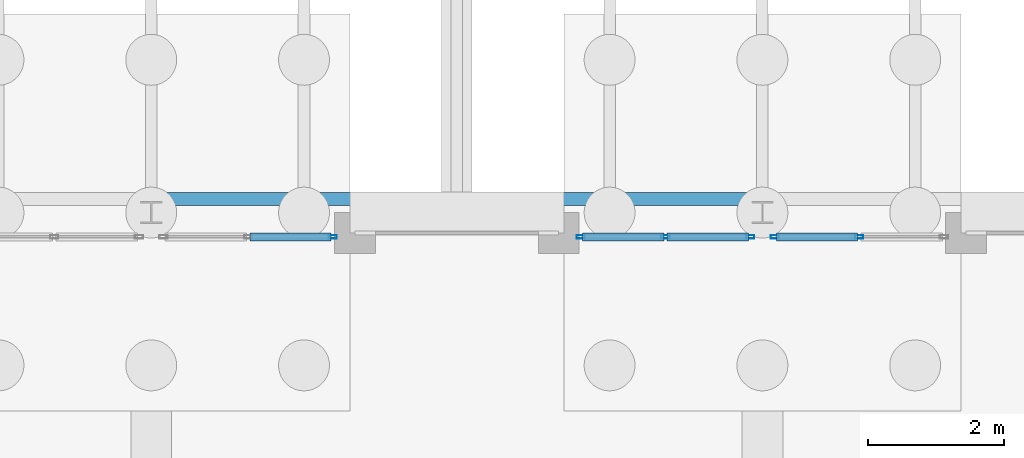
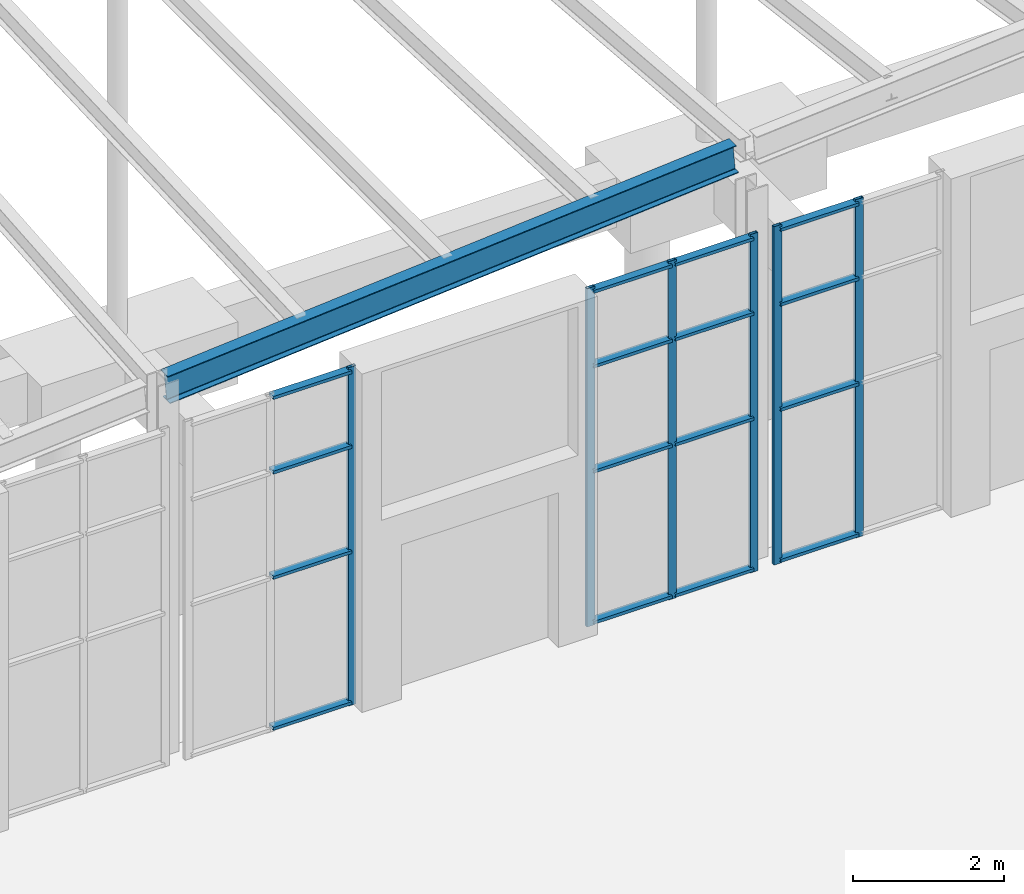
# One storey, part 74 of 139: 22 members, 1 beam, 3 elements without a shape of their own.
"""IFC4 building model written with IfcOpenShell, lengths in metres."""

from ifc_helpers import new_model, si_unit, direction, frame, origin, origin_2d, place, context, subcontext, project, spatial, hollow_rectangle, i_section, extrude, material, layer, layer_set, material_profile, profile_set, type_object, element, aggregate, save


model = new_model("IFC4")

# Units and contexts
model_context = context("Model", 3, precision=1e-05, world=origin(), true_north=direction((0.0, 1.0)))
body_context = subcontext(model_context, "Body", "Model", "MODEL_VIEW")
ifc_project = project(units=[si_unit("LENGTHUNIT", "METRE"), si_unit("AREAUNIT", "SQUARE_METRE"), si_unit("VOLUMEUNIT", "CUBIC_METRE"), si_unit("PLANEANGLEUNIT", "RADIAN"), si_unit("MASSUNIT", "GRAM", prefix="KILO")], contexts=[model_context])

# Site, building, storey
site_placement = place(None, origin())
site = spatial("IfcSite", under=ifc_project, at=site_placement, CompositionType="ELEMENT")
building_placement = place(site_placement, origin())
building = spatial("IfcBuilding", under=site, at=building_placement, Name="Shorebreak Coast Museum", CompositionType="ELEMENT")
storey_placement = place(building_placement, origin())
storey = spatial("IfcBuildingStorey", under=building, at=storey_placement, Name="L00", CompositionType="ELEMENT", Elevation=0.0)

# Beam
ifc_material_1 = material(Name="Steel Grade 300", Category="steel")
ifc_material_profile_1 = material_profile(ifc_material_1, i_section(OverallWidth=0.18994140625, OverallDepth=0.453857421875, WebThickness=0.008544921875, FlangeThickness=0.0126953125, FilletRadius=0.011474609375, at=origin_2d()), Name="460UB67.1")
ifc_profile_set_1 = profile_set([ifc_material_profile_1], Name="Steel Grade 300")
beam_type = type_object("IfcBeamType", Name="Canopy ring beam 460UB67.1", PredefinedType="BEAM", material=ifc_profile_set_1)
beam_placement = place(storey_placement, frame((81.155517578125, 117.199951171875, 5.670654296875), z_axis=(0.996844600379, 0.0, 0.079377847639), x_axis=(0.0, 1.0, 0.0)))
element("IfcBeam", 1, at=beam_placement, inside=storey, type_object=beam_type, Name="Canopy ring beam ENT-N building side 3", PredefinedType="BEAM", context=body_context, shape_type="SweptSolid", body=[
    extrude(i_section(OverallWidth=0.18994140625, OverallDepth=0.453857421875, WebThickness=0.008544921875, FlangeThickness=0.0126953125, FilletRadius=0.011474609375, at=origin_2d()), origin(), (0.0, 0.0, 1.0), 8.716552734375),
])

# Curtain wall, member
ifc_material_2 = material(Name="Aluminium", Category="aluminium")
ifc_layer = layer(ifc_material_2, 0.1201171875)
ifc_layer_set = layer_set([ifc_layer], Name="Aluminium")
curtain_wall_type = type_object("IfcCurtainWallType", Name="Entrance sidelight curtain wall", PredefinedType="NOTDEFINED", material=ifc_layer_set)
curtain_wall_1_placement = place(storey_placement, origin())
curtain_wall_1 = element("IfcCurtainWall", 2, at=curtain_wall_1_placement, inside=storey, type_object=curtain_wall_type, Name="Entrance glazing ENT-N 7", PredefinedType="NOTDEFINED")
ifc_material_3 = material(Name="Aluminium", Category="aluminium")
ifc_material_profile_2 = material_profile(ifc_material_3, hollow_rectangle(XDim=0.050048828125, YDim=0.1201171875, WallThickness=0.0029296875, at=origin_2d()), Name="AL 120x50 RHS")
ifc_profile_set_2 = profile_set([ifc_material_profile_2], Name="Aluminium")
member_type_1 = type_object("IfcMemberType", Name="Entrance mullion 50 x 120", PredefinedType="MULLION", material=ifc_profile_set_2)
member_1_placement = place(storey_placement, frame((83.675048828125, 116.6416015625, 0.0), z_axis=(0.0, 0.0, 1.0), x_axis=(0.0, 1.0, 0.0)))
member_1 = element("IfcMember", 3, at=member_1_placement, type_object=member_type_1, Name="CW2 mullion 3", PredefinedType="MULLION", context=body_context, shape_type="SweptSolid", body=[
    extrude(hollow_rectangle(XDim=0.050048828125, YDim=0.1201171875, WallThickness=0.0029296875, at=origin_2d()), origin(), (0.0, 0.0, 1.0), 5.46630859375),
])

# Curtain wall, members
curtain_wall_2_placement = place(storey_placement, origin())
curtain_wall_2 = element("IfcCurtainWall", 4, at=curtain_wall_2_placement, inside=storey, type_object=curtain_wall_type, Name="Entrance glazing ENT-N 8", PredefinedType="NOTDEFINED")
member_2_placement = place(storey_placement, frame((87.324951171875, 116.6416015625, 0.0), z_axis=(0.0, 0.0, 1.0), x_axis=(0.0, 1.0, 0.0)))
member_2 = element("IfcMember", 5, at=member_2_placement, type_object=member_type_1, Name="CW1 mullion 1", PredefinedType="MULLION", context=body_context, shape_type="SweptSolid", body=[
    extrude(hollow_rectangle(XDim=0.050048828125, YDim=0.1201171875, WallThickness=0.0029296875, at=origin_2d()), origin(), (0.0, 0.0, 1.0), 5.46630859375),
])
member_3_placement = place(storey_placement, frame((88.572265625, 116.6416015625, 0.0), z_axis=(0.0, 0.0, 1.0), x_axis=(0.0, 1.0, 0.0)))
member_3 = element("IfcMember", 6, at=member_3_placement, type_object=member_type_1, Name="CW1 mullion 2", PredefinedType="MULLION", context=body_context, shape_type="SweptSolid", body=[
    extrude(hollow_rectangle(XDim=0.050048828125, YDim=0.1201171875, WallThickness=0.0029296875, at=origin_2d()), origin(), (0.0, 0.0, 1.0), 5.46630859375),
])
member_4_placement = place(storey_placement, frame((89.819580078125, 116.6416015625, 0.0), z_axis=(0.0, 0.0, 1.0), x_axis=(0.0, 1.0, 0.0)))
member_4 = element("IfcMember", 7, at=member_4_placement, type_object=member_type_1, Name="CW1 mullion 3", PredefinedType="MULLION", context=body_context, shape_type="SweptSolid", body=[
    extrude(hollow_rectangle(XDim=0.050048828125, YDim=0.1201171875, WallThickness=0.0029296875, at=origin_2d()), origin(), (0.0, 0.0, 1.0), 5.46630859375),
])

curtain_wall_3_placement = place(storey_placement, origin())
curtain_wall_3 = element("IfcCurtainWall", 8, at=curtain_wall_3_placement, inside=storey, type_object=curtain_wall_type, Name="Entrance glazing ENT-N 9", PredefinedType="NOTDEFINED")
member_5_placement = place(storey_placement, frame((90.180419921875, 116.6416015625, 0.0), z_axis=(0.0, 0.0, 1.0), x_axis=(0.0, 1.0, 0.0)))
member_5 = element("IfcMember", 9, at=member_5_placement, type_object=member_type_1, Name="CW2 mullion 1", PredefinedType="MULLION", context=body_context, shape_type="SweptSolid", body=[
    extrude(hollow_rectangle(XDim=0.050048828125, YDim=0.1201171875, WallThickness=0.0029296875, at=origin_2d()), origin(), (0.0, 0.0, 1.0), 5.46630859375),
])
member_6_placement = place(storey_placement, frame((91.427734375, 116.6416015625, 0.0), z_axis=(0.0, 0.0, 1.0), x_axis=(0.0, 1.0, 0.0)))
member_6 = element("IfcMember", 10, at=member_6_placement, type_object=member_type_1, Name="CW2 mullion 2", PredefinedType="MULLION", context=body_context, shape_type="SweptSolid", body=[
    extrude(hollow_rectangle(XDim=0.050048828125, YDim=0.1201171875, WallThickness=0.0029296875, at=origin_2d()), origin(), (0.0, 0.0, 1.0), 5.46630859375),
])

# Member
ifc_material_4 = material(Name="Aluminium", Category="aluminium")
ifc_material_profile_3 = material_profile(ifc_material_4, hollow_rectangle(XDim=0.1201171875, YDim=0.050048828125, WallThickness=0.0029296875, at=origin_2d()), Name="AL 50x120 RHS")
ifc_profile_set_3 = profile_set([ifc_material_profile_3], Name="Aluminium")
member_type_2 = type_object("IfcMemberType", Name="Entrance transom 120 x 50", PredefinedType="USERDEFINED", material=ifc_profile_set_3)
member_7_placement = place(storey_placement, frame((82.45263671875, 116.6416015625, 0.06005859375), z_axis=(1.0, 0.0, 0.0), x_axis=(0.0, 1.0, 0.0)))
member_7 = element("IfcMember", 11, at=member_7_placement, type_object=member_type_2, Name="CW2 transom 2.1", ObjectType="TRANSOM", PredefinedType="USERDEFINED", context=body_context, shape_type="SweptSolid", body=[
    extrude(hollow_rectangle(XDim=0.1201171875, YDim=0.050048828125, WallThickness=0.0029296875, at=origin_2d()), origin(), (0.0, 0.0, 1.0), 1.197265625),
])

member_8_placement = place(storey_placement, frame((82.45263671875, 116.6416015625, 2.5), z_axis=(1.0, 0.0, 0.0), x_axis=(0.0, 1.0, 0.0)))
member_8 = element("IfcMember", 12, at=member_8_placement, type_object=member_type_2, Name="CW2 transom 2.2", ObjectType="TRANSOM", PredefinedType="USERDEFINED", context=body_context, shape_type="SweptSolid", body=[
    extrude(hollow_rectangle(XDim=0.1201171875, YDim=0.050048828125, WallThickness=0.0029296875, at=origin_2d()), origin(), (0.0, 0.0, 1.0), 1.197265625),
])

member_9_placement = place(storey_placement, frame((82.45263671875, 116.6416015625, 4.199951171875), z_axis=(1.0, 0.0, 0.0), x_axis=(0.0, 1.0, 0.0)))
member_9 = element("IfcMember", 13, at=member_9_placement, type_object=member_type_2, Name="CW2 transom 2.3", ObjectType="TRANSOM", PredefinedType="USERDEFINED", context=body_context, shape_type="SweptSolid", body=[
    extrude(hollow_rectangle(XDim=0.1201171875, YDim=0.050048828125, WallThickness=0.0029296875, at=origin_2d()), origin(), (0.0, 0.0, 1.0), 1.197265625),
])

member_10_placement = place(storey_placement, frame((82.45263671875, 116.6416015625, 5.406494140625), z_axis=(1.0, 0.0, 0.0), x_axis=(0.0, 1.0, 0.0)))
member_10 = element("IfcMember", 14, at=member_10_placement, type_object=member_type_2, Name="CW2 transom 2.4", ObjectType="TRANSOM", PredefinedType="USERDEFINED", context=body_context, shape_type="SweptSolid", body=[
    extrude(hollow_rectangle(XDim=0.1201171875, YDim=0.050048828125, WallThickness=0.0029296875, at=origin_2d()), origin(), (0.0, 0.0, 1.0), 1.197265625),
])

aggregate(curtain_wall_1, [member_1, member_7, member_8, member_9, member_10])

member_11_placement = place(storey_placement, frame((87.35009765625, 116.6416015625, 0.06005859375), z_axis=(1.0, 0.0, 0.0), x_axis=(0.0, 1.0, 0.0)))
member_11 = element("IfcMember", 15, at=member_11_placement, type_object=member_type_2, Name="CW1 transom 1.1", ObjectType="TRANSOM", PredefinedType="USERDEFINED", context=body_context, shape_type="SweptSolid", body=[
    extrude(hollow_rectangle(XDim=0.1201171875, YDim=0.050048828125, WallThickness=0.0029296875, at=origin_2d()), origin(), (0.0, 0.0, 1.0), 1.197265625),
])

member_12_placement = place(storey_placement, frame((87.35009765625, 116.6416015625, 2.5), z_axis=(1.0, 0.0, 0.0), x_axis=(0.0, 1.0, 0.0)))
member_12 = element("IfcMember", 16, at=member_12_placement, type_object=member_type_2, Name="CW1 transom 1.2", ObjectType="TRANSOM", PredefinedType="USERDEFINED", context=body_context, shape_type="SweptSolid", body=[
    extrude(hollow_rectangle(XDim=0.1201171875, YDim=0.050048828125, WallThickness=0.0029296875, at=origin_2d()), origin(), (0.0, 0.0, 1.0), 1.197265625),
])

member_13_placement = place(storey_placement, frame((87.35009765625, 116.6416015625, 4.199951171875), z_axis=(1.0, 0.0, 0.0), x_axis=(0.0, 1.0, 0.0)))
member_13 = element("IfcMember", 17, at=member_13_placement, type_object=member_type_2, Name="CW1 transom 1.3", ObjectType="TRANSOM", PredefinedType="USERDEFINED", context=body_context, shape_type="SweptSolid", body=[
    extrude(hollow_rectangle(XDim=0.1201171875, YDim=0.050048828125, WallThickness=0.0029296875, at=origin_2d()), origin(), (0.0, 0.0, 1.0), 1.197265625),
])

member_14_placement = place(storey_placement, frame((87.35009765625, 116.6416015625, 5.406494140625), z_axis=(1.0, 0.0, 0.0), x_axis=(0.0, 1.0, 0.0)))
member_14 = element("IfcMember", 18, at=member_14_placement, type_object=member_type_2, Name="CW1 transom 1.4", ObjectType="TRANSOM", PredefinedType="USERDEFINED", context=body_context, shape_type="SweptSolid", body=[
    extrude(hollow_rectangle(XDim=0.1201171875, YDim=0.050048828125, WallThickness=0.0029296875, at=origin_2d()), origin(), (0.0, 0.0, 1.0), 1.197265625),
])

member_15_placement = place(storey_placement, frame((88.59716796875, 116.6416015625, 0.06005859375), z_axis=(1.0, 0.0, 0.0), x_axis=(0.0, 1.0, 0.0)))
member_15 = element("IfcMember", 19, at=member_15_placement, type_object=member_type_2, Name="CW1 transom 2.1", ObjectType="TRANSOM", PredefinedType="USERDEFINED", context=body_context, shape_type="SweptSolid", body=[
    extrude(hollow_rectangle(XDim=0.1201171875, YDim=0.050048828125, WallThickness=0.0029296875, at=origin_2d()), origin(), (0.0, 0.0, 1.0), 1.197265625),
])

member_16_placement = place(storey_placement, frame((88.59716796875, 116.6416015625, 2.5), z_axis=(1.0, 0.0, 0.0), x_axis=(0.0, 1.0, 0.0)))
member_16 = element("IfcMember", 20, at=member_16_placement, type_object=member_type_2, Name="CW1 transom 2.2", ObjectType="TRANSOM", PredefinedType="USERDEFINED", context=body_context, shape_type="SweptSolid", body=[
    extrude(hollow_rectangle(XDim=0.1201171875, YDim=0.050048828125, WallThickness=0.0029296875, at=origin_2d()), origin(), (0.0, 0.0, 1.0), 1.197265625),
])

member_17_placement = place(storey_placement, frame((88.59716796875, 116.6416015625, 4.199951171875), z_axis=(1.0, 0.0, 0.0), x_axis=(0.0, 1.0, 0.0)))
member_17 = element("IfcMember", 21, at=member_17_placement, type_object=member_type_2, Name="CW1 transom 2.3", ObjectType="TRANSOM", PredefinedType="USERDEFINED", context=body_context, shape_type="SweptSolid", body=[
    extrude(hollow_rectangle(XDim=0.1201171875, YDim=0.050048828125, WallThickness=0.0029296875, at=origin_2d()), origin(), (0.0, 0.0, 1.0), 1.197265625),
])

member_18_placement = place(storey_placement, frame((88.59716796875, 116.6416015625, 5.406494140625), z_axis=(1.0, 0.0, 0.0), x_axis=(0.0, 1.0, 0.0)))
member_18 = element("IfcMember", 22, at=member_18_placement, type_object=member_type_2, Name="CW1 transom 2.4", ObjectType="TRANSOM", PredefinedType="USERDEFINED", context=body_context, shape_type="SweptSolid", body=[
    extrude(hollow_rectangle(XDim=0.1201171875, YDim=0.050048828125, WallThickness=0.0029296875, at=origin_2d()), origin(), (0.0, 0.0, 1.0), 1.197265625),
])

aggregate(curtain_wall_2, [member_2, member_3, member_4, member_11, member_12, member_13, member_14, member_15, member_16, member_17, member_18])

member_19_placement = place(storey_placement, frame((90.20556640625, 116.6416015625, 0.06005859375), z_axis=(1.0, 0.0, 0.0), x_axis=(0.0, 1.0, 0.0)))
member_19 = element("IfcMember", 23, at=member_19_placement, type_object=member_type_2, Name="CW2 transom 1.1", ObjectType="TRANSOM", PredefinedType="USERDEFINED", context=body_context, shape_type="SweptSolid", body=[
    extrude(hollow_rectangle(XDim=0.1201171875, YDim=0.050048828125, WallThickness=0.0029296875, at=origin_2d()), origin(), (0.0, 0.0, 1.0), 1.197265625),
])

member_20_placement = place(storey_placement, frame((90.20556640625, 116.6416015625, 2.5), z_axis=(1.0, 0.0, 0.0), x_axis=(0.0, 1.0, 0.0)))
member_20 = element("IfcMember", 24, at=member_20_placement, type_object=member_type_2, Name="CW2 transom 1.2", ObjectType="TRANSOM", PredefinedType="USERDEFINED", context=body_context, shape_type="SweptSolid", body=[
    extrude(hollow_rectangle(XDim=0.1201171875, YDim=0.050048828125, WallThickness=0.0029296875, at=origin_2d()), origin(), (0.0, 0.0, 1.0), 1.197265625),
])

member_21_placement = place(storey_placement, frame((90.20556640625, 116.6416015625, 4.199951171875), z_axis=(1.0, 0.0, 0.0), x_axis=(0.0, 1.0, 0.0)))
member_21 = element("IfcMember", 25, at=member_21_placement, type_object=member_type_2, Name="CW2 transom 1.3", ObjectType="TRANSOM", PredefinedType="USERDEFINED", context=body_context, shape_type="SweptSolid", body=[
    extrude(hollow_rectangle(XDim=0.1201171875, YDim=0.050048828125, WallThickness=0.0029296875, at=origin_2d()), origin(), (0.0, 0.0, 1.0), 1.197265625),
])

member_22_placement = place(storey_placement, frame((90.20556640625, 116.6416015625, 5.406494140625), z_axis=(1.0, 0.0, 0.0), x_axis=(0.0, 1.0, 0.0)))
member_22 = element("IfcMember", 26, at=member_22_placement, type_object=member_type_2, Name="CW2 transom 1.4", ObjectType="TRANSOM", PredefinedType="USERDEFINED", context=body_context, shape_type="SweptSolid", body=[
    extrude(hollow_rectangle(XDim=0.1201171875, YDim=0.050048828125, WallThickness=0.0029296875, at=origin_2d()), origin(), (0.0, 0.0, 1.0), 1.197265625),
])

aggregate(curtain_wall_3, [member_5, member_6, member_19, member_20, member_21, member_22])

save(model, "model.ifc")
